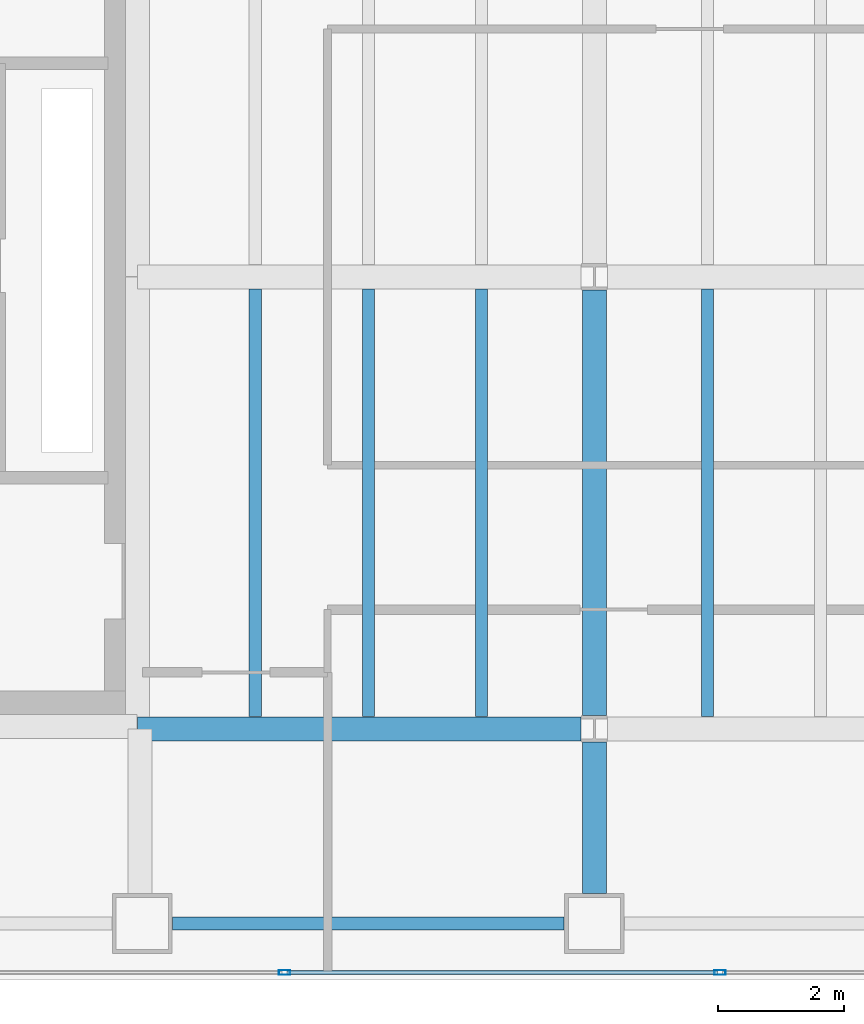
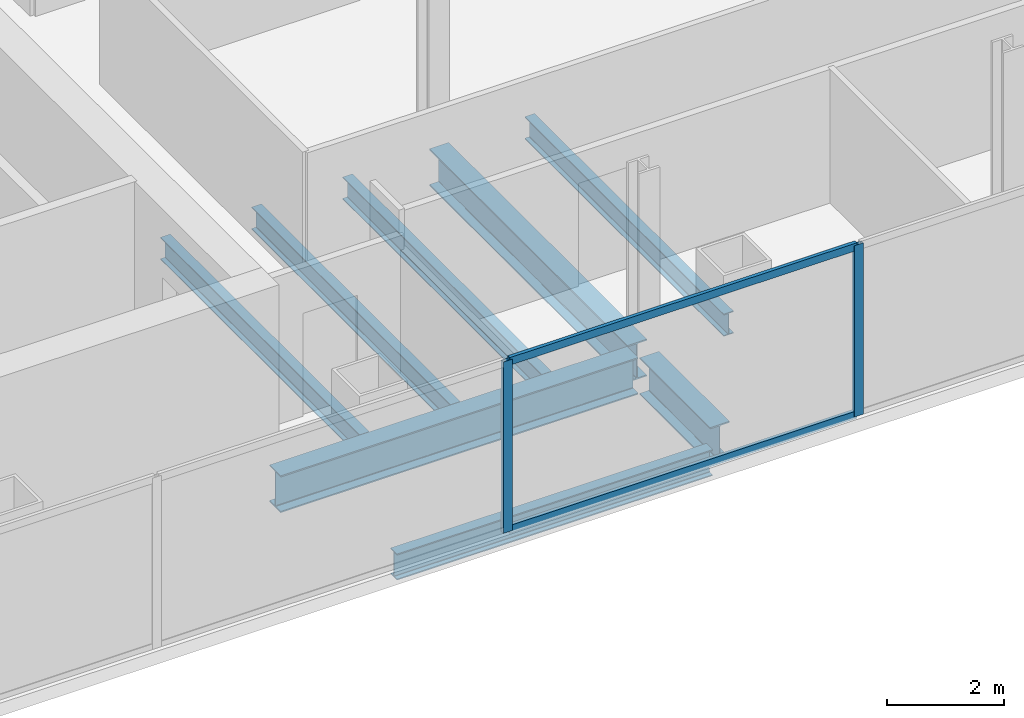
# One storey, part 4 of 23: 8 beams, 4 members, 1 element without a shape of its own.
"""IFC4 building model written with IfcOpenShell, lengths in metres."""

from ifc_helpers import new_model, si_unit, direction, frame, origin, origin_2d, place, context, subcontext, project, spatial, hollow_rectangle, i_section, extrude, material, material_profile, profile_set, type_object, element, aggregate, save


model = new_model("IFC4")

# Units and contexts
model_context = context("Model", 3, precision=1e-05, world=origin(), true_north=direction((0.0, 1.0)))
body_context = subcontext(model_context, "Body", "Model", "MODEL_VIEW")
ifc_project = project(units=[si_unit("LENGTHUNIT", "METRE"), si_unit("AREAUNIT", "SQUARE_METRE"), si_unit("VOLUMEUNIT", "CUBIC_METRE"), si_unit("PLANEANGLEUNIT", "RADIAN"), si_unit("MASSUNIT", "GRAM", prefix="KILO")], contexts=[model_context])

# Site, building, storey
site_placement = place(None, origin())
site = spatial("IfcSite", under=ifc_project, at=site_placement, CompositionType="ELEMENT")
building_placement = place(site_placement, origin())
building = spatial("IfcBuilding", under=site, at=building_placement, Name="Cobrela Telecom Tower", CompositionType="ELEMENT")
storey_placement = place(building_placement, frame((0.0, 0.0, 102.199951171875)))
storey = spatial("IfcBuildingStorey", under=building, at=storey_placement, Name="L25", CompositionType="ELEMENT", Elevation=102.199951171875)

# Beams
ifc_material_1 = material(Name="Steel ASTM A992 Grade 50", Category="steel")
ifc_material_profile_1 = material_profile(ifc_material_1, i_section(OverallWidth=0.381103515625, OverallDepth=0.77197265625, WebThickness=0.0166015625, FlangeThickness=0.027099609375, FilletRadius=0.01904296875, at=origin_2d()), Name="W30X173")
ifc_profile_set_1 = profile_set([ifc_material_profile_1], Name="Steel ASTM A992 Grade 50")
beam_type_1 = type_object("IfcBeamType", Name="BM-GIRD-04", PredefinedType="USERDEFINED", material=ifc_profile_set_1)
beam_1_placement = place(storey_placement, frame((14.324951171875, 7.199951171875, -0.656005859375), z_axis=(1.0, 0.0, 0.0), x_axis=(0.0, 1.0, 0.0)))
element("IfcBeam", 1, at=beam_1_placement, inside=storey, type_object=beam_type_1, Name="L25 Primary Girder X08", ObjectType="GIRDER", PredefinedType="USERDEFINED", context=body_context, shape_type="SweptSolid", body=[
    extrude(i_section(OverallWidth=0.381103515625, OverallDepth=0.77197265625, WebThickness=0.0166015625, FlangeThickness=0.027099609375, FilletRadius=0.01904296875, at=origin_2d()), origin(), (0.0, 0.0, 1.0), 7.0654296875),
])
beam_2_placement = place(storey_placement, frame((21.60009765625, 4.580078125, -0.656005859375), z_axis=(0.0, 1.0, 0.0), x_axis=(-1.0, 0.0, 0.0)))
element("IfcBeam", 2, at=beam_2_placement, inside=storey, type_object=beam_type_1, Name="L25 Primary Girder Y39", ObjectType="GIRDER", PredefinedType="USERDEFINED", context=body_context, shape_type="SweptSolid", body=[
    extrude(i_section(OverallWidth=0.381103515625, OverallDepth=0.77197265625, WebThickness=0.0166015625, FlangeThickness=0.027099609375, FilletRadius=0.01904296875, at=origin_2d()), origin(), (0.0, 0.0, 1.0), 2.410400390625),
])
beam_3_placement = place(storey_placement, frame((21.60009765625, 7.409423828125, -0.656005859375), z_axis=(0.0, 1.0, 0.0), x_axis=(-1.0, 0.0, 0.0)))
element("IfcBeam", 3, at=beam_3_placement, inside=storey, type_object=beam_type_1, Name="L25 Primary Girder Y40", ObjectType="GIRDER", PredefinedType="USERDEFINED", context=body_context, shape_type="SweptSolid", body=[
    extrude(i_section(OverallWidth=0.381103515625, OverallDepth=0.77197265625, WebThickness=0.0166015625, FlangeThickness=0.027099609375, FilletRadius=0.01904296875, at=origin_2d()), origin(), (0.0, 0.0, 1.0), 6.781005859375),
])
ifc_material_profile_2 = material_profile(ifc_material_1, i_section(OverallWidth=0.193115234375, OverallDepth=0.467041015625, WebThickness=0.011474609375, FlangeThickness=0.01904296875, FilletRadius=0.012939453125, at=origin_2d()), Name="W18X65")
ifc_profile_set_2 = profile_set([ifc_material_profile_2], Name="Steel ASTM A992 Grade 50")
beam_type_2 = type_object("IfcBeamType", Name="BM-JOIST-03", PredefinedType="JOIST", material=ifc_profile_set_2)
for number, where, z_axis, x_axis, name in (
    (4, (16.199951171875, 7.3955078125, -0.50341796875), (0.0, 1.0, 0.0), (-1.0, 0.0, 0.0), "L25 Secondary Composite Floor Beam J04"),
    (5, (18.0, 7.3955078125, -0.50341796875), (0.0, 1.0, 0.0), (-1.0, 0.0, 0.0), "L25 Secondary Composite Floor Beam J09"),
    (6, (19.800048828125, 7.3955078125, -0.50341796875), (0.0, 1.0, 0.0), (-1.0, 0.0, 0.0), "L25 Secondary Composite Floor Beam J14"),
    (7, (23.39990234375, 7.3955078125, -0.50341796875), (0.0, 1.0, 0.0), (-1.0, 0.0, 0.0), "L25 Secondary Composite Floor Beam J19"),
):
    element("IfcBeam", number, at=place(storey_placement, frame(where, z_axis=z_axis, x_axis=x_axis)), inside=storey, type_object=beam_type_2, Name=name, PredefinedType="JOIST", context=body_context, shape_type="SweptSolid", body=[
        extrude(i_section(OverallWidth=0.193115234375, OverallDepth=0.467041015625, WebThickness=0.011474609375, FlangeThickness=0.01904296875, FilletRadius=0.012939453125, at=origin_2d()), origin(), (0.0, 0.0, 1.0), 6.80908203125),
    ])
ifc_material_profile_3 = material_profile(ifc_material_1, i_section(OverallWidth=0.212890625, OverallDepth=0.549072265625, WebThickness=0.0146484375, FlangeThickness=0.023681640625, FilletRadius=0.013916015625, at=origin_2d()), Name="W21X93")
ifc_profile_set_3 = profile_set([ifc_material_profile_3], Name="Steel ASTM A992 Grade 50")
beam_type_3 = type_object("IfcBeamType", Name="BM-SPAND-03", PredefinedType="SPANDREL", material=ifc_profile_set_3)
beam_4_placement = place(storey_placement, frame((14.8798828125, 4.10009765625, -0.54443359375), z_axis=(1.0, 0.0, 0.0), x_axis=(0.0, 1.0, 0.0)))
element("IfcBeam", 8, at=beam_4_placement, inside=storey, type_object=beam_type_3, Name="L25 Perimeter Spandrel X02", PredefinedType="SPANDREL", context=body_context, shape_type="SweptSolid", body=[
    extrude(i_section(OverallWidth=0.212890625, OverallDepth=0.549072265625, WebThickness=0.0146484375, FlangeThickness=0.023681640625, FilletRadius=0.013916015625, at=origin_2d()), origin(), (0.0, 0.0, 1.0), 6.240234375),
])

# Curtain wall, members
ifc_material_2 = material(Name="Anodized Bronze Aluminium 6063-T6", Category="aluminium")
curtain_wall_type = type_object("IfcCurtainWallType", Name="CW-SYS-TEL", PredefinedType="USERDEFINED", material=ifc_material_2)
curtain_wall_placement = place(storey_placement, origin())
curtain_wall = element("IfcCurtainWall", 9, at=curtain_wall_placement, inside=storey, type_object=curtain_wall_type, Name="L25 Unitised Bronze Curtain Wall 17", ObjectType="UNITISED CURTAIN WALL", PredefinedType="USERDEFINED")
ifc_material_profile_4 = material_profile(ifc_material_2, hollow_rectangle(XDim=0.074951171875, YDim=0.179931640625, WallThickness=0.00390625, at=origin_2d()), Name="ALU 75x180x4")
ifc_profile_set_4 = profile_set([ifc_material_profile_4], Name="Anodized Bronze Aluminium 6063-T6")
member_type_1 = type_object("IfcMemberType", Name="CW-SYS-TEL-MUL", PredefinedType="MULLION", material=ifc_profile_set_4)
member_1_placement = place(storey_placement, frame((23.60009765625, 3.320068359375, 0.0), z_axis=(0.0, 0.0, 1.0), x_axis=(0.0, -1.0, 0.0)))
member_1 = element("IfcMember", 10, at=member_1_placement, type_object=member_type_1, Name="CW-TEL mullion 4", PredefinedType="MULLION", context=body_context, shape_type="SweptSolid", body=[
    extrude(hollow_rectangle(XDim=0.074951171875, YDim=0.179931640625, WallThickness=0.00390625, at=origin_2d()), origin(), (0.0, 0.0, 1.0), 3.580078125),
])
member_2_placement = place(storey_placement, frame((16.663330078125, 3.320068359375, 0.0), z_axis=(0.0, 0.0, 1.0), x_axis=(0.0, -1.0, 0.0)))
member_2 = element("IfcMember", 11, at=member_2_placement, type_object=member_type_1, Name="CW-TEL mullion 5", PredefinedType="MULLION", context=body_context, shape_type="SweptSolid", body=[
    extrude(hollow_rectangle(XDim=0.074951171875, YDim=0.179931640625, WallThickness=0.00390625, at=origin_2d()), origin(), (0.0, 0.0, 1.0), 3.580078125),
])
ifc_material_profile_5 = material_profile(ifc_material_2, hollow_rectangle(XDim=0.070068359375, YDim=0.159912109375, WallThickness=0.00390625, at=origin_2d()), Name="ALU 70x160x4")
ifc_profile_set_5 = profile_set([ifc_material_profile_5], Name="Anodized Bronze Aluminium 6063-T6")
member_type_2 = type_object("IfcMemberType", Name="CW-SYS-TEL-TRN", PredefinedType="USERDEFINED", material=ifc_profile_set_5)
member_3_placement = place(storey_placement, frame((23.5625, 3.320068359375, 0.03515625), z_axis=(-1.0, 0.0, 0.0), x_axis=(0.0, -1.0, 0.0)))
member_3 = element("IfcMember", 12, at=member_3_placement, type_object=member_type_2, Name="CW-TEL transom 4.1", ObjectType="TRANSOM", PredefinedType="USERDEFINED", context=body_context, shape_type="SweptSolid", body=[
    extrude(hollow_rectangle(XDim=0.070068359375, YDim=0.159912109375, WallThickness=0.00390625, at=origin_2d()), origin(), (0.0, 0.0, 1.0), 6.861572265625),
])
member_4_placement = place(storey_placement, frame((23.5625, 3.320068359375, 3.545166015625), z_axis=(-1.0, 0.0, 0.0), x_axis=(0.0, -1.0, 0.0)))
member_4 = element("IfcMember", 13, at=member_4_placement, type_object=member_type_2, Name="CW-TEL transom 4.2", ObjectType="TRANSOM", PredefinedType="USERDEFINED", context=body_context, shape_type="SweptSolid", body=[
    extrude(hollow_rectangle(XDim=0.070068359375, YDim=0.159912109375, WallThickness=0.00390625, at=origin_2d()), origin(), (0.0, 0.0, 1.0), 6.861572265625),
])
aggregate(curtain_wall, [member_1, member_2, member_3, member_4])

save(model, "model.ifc")
